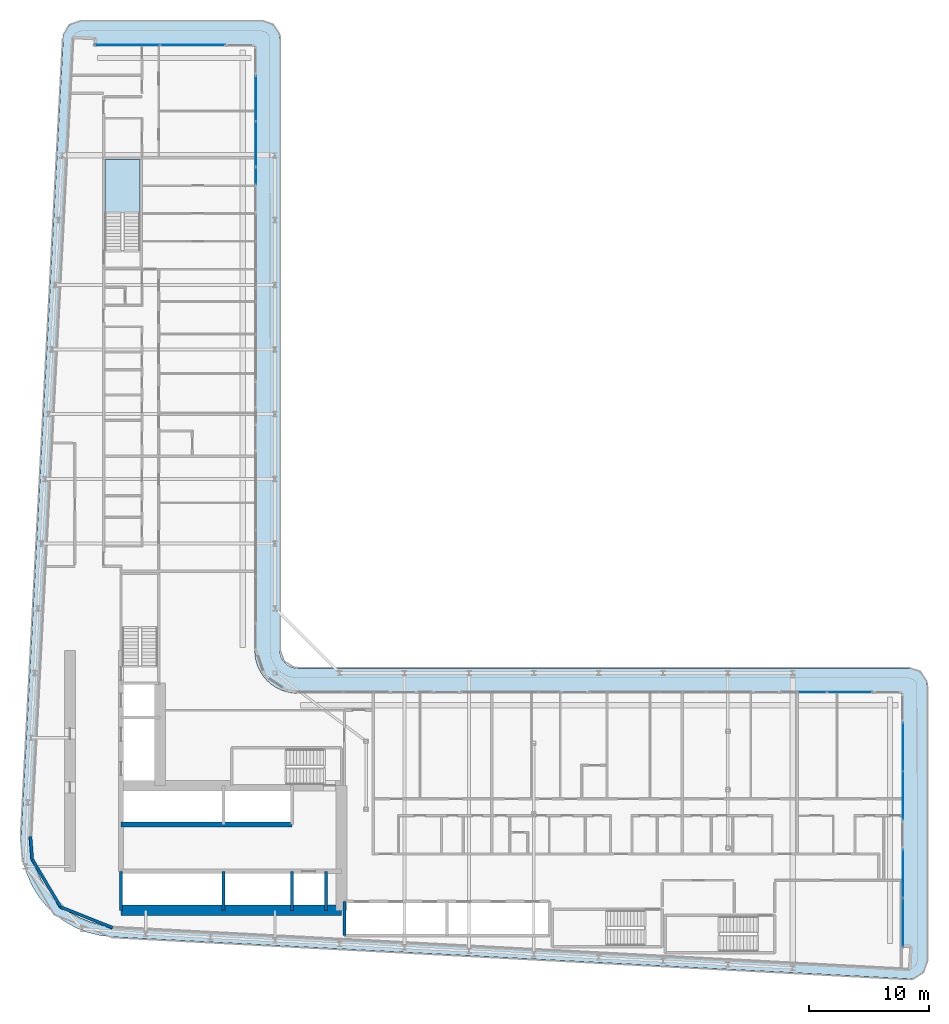
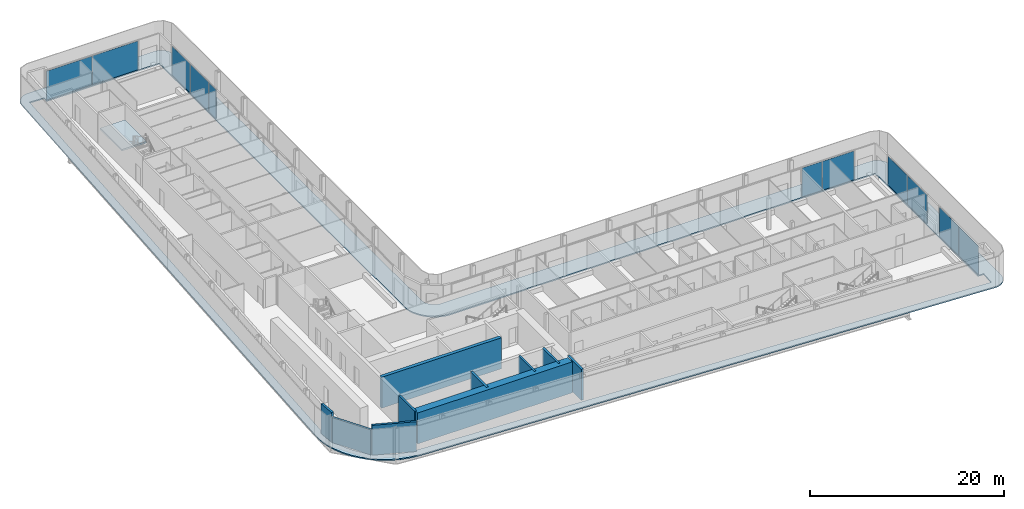
# One storey, part 12 of 28: 11 plates, 10 walls, 2 slabs, 7 elements without a shape of their own.
"""IFC4 building model written with IfcOpenShell, lengths in metres."""

from ifc_helpers import new_model, si_unit, direction, frame, frame_2d, origin, origin_2d, place, context, subcontext, project, spatial, polyline, rectangle, outline, extrude, material, layer, layer_set, type_object, element, aggregate, save


model = new_model("IFC4")

# Units and contexts
model_context = context("Model", 3, precision=1e-05, world=origin(), true_north=direction((0.0, 1.0)))
body_context = subcontext(model_context, "Body", "Model", "MODEL_VIEW")
ifc_project = project(units=[si_unit("LENGTHUNIT", "METRE"), si_unit("AREAUNIT", "SQUARE_METRE"), si_unit("VOLUMEUNIT", "CUBIC_METRE"), si_unit("PLANEANGLEUNIT", "RADIAN"), si_unit("MASSUNIT", "GRAM", prefix="KILO")], contexts=[model_context])

# Site, building, storey
site_placement = place(None, origin())
site = spatial("IfcSite", under=ifc_project, at=site_placement, CompositionType="ELEMENT")
building_placement = place(site_placement, origin())
building = spatial("IfcBuilding", under=site, at=building_placement, Name="Kheshtan School and Residences Tower", CompositionType="ELEMENT")
storey_placement = place(building_placement, frame((0.0, 0.0, 125.300048828125)))
storey = spatial("IfcBuildingStorey", under=building, at=storey_placement, Name="L29", CompositionType="ELEMENT", Elevation=125.300048828125)

# Curtain wall, plates
ifc_material_1 = material(Name="Clear low-e glass in thermally broken aluminium frame", Category="aluminium")
ifc_layer_1 = layer(ifc_material_1, 0.199951171875)
ifc_layer_set_1 = layer_set([ifc_layer_1], Name="Curtain wall CW-L")
curtain_wall_type = type_object("IfcCurtainWallType", Name="Curtain wall CW-L", PredefinedType="NOTDEFINED", material=ifc_layer_set_1)
curtain_wall_1_placement = place(storey_placement, origin())
curtain_wall_1 = element("IfcCurtainWall", 1, at=curtain_wall_1_placement, inside=storey, type_object=curtain_wall_type, Name="Curtain wall CWL7", PredefinedType="NOTDEFINED")
ifc_layer_2 = layer(ifc_material_1, 0.031982421875)
ifc_layer_set_2 = layer_set([ifc_layer_2], Name="CW-L glass panel")
plate_type = type_object("IfcPlateType", Name="CW-L glass panel", PredefinedType="CURTAIN_PANEL", material=ifc_layer_set_2)
plate_1_placement = place(storey_placement, frame((35.259033203125, 98.0, 0.0), z_axis=(0.0, 0.0, 1.0), x_axis=(1.0, 0.0, 0.0)))
plate_1 = element("IfcPlate", 2, at=plate_1_placement, type_object=plate_type, Name="CWL7 panel 1.1", PredefinedType="CURTAIN_PANEL", context=body_context, shape_type="SweptSolid", body=[
    extrude(rectangle(XDim=5.4140625, YDim=0.031982421875, at=origin_2d()), origin(), (0.0, 0.0, 1.0), 3.6298828125),
])
plate_2_placement = place(storey_placement, frame((40.73291015625, 98.0, 0.0), z_axis=(0.0, 0.0, 1.0), x_axis=(1.0, 0.0, 0.0)))
plate_2 = element("IfcPlate", 3, at=plate_2_placement, type_object=plate_type, Name="CWL7 panel 2.1", PredefinedType="CURTAIN_PANEL", context=body_context, shape_type="SweptSolid", body=[
    extrude(rectangle(XDim=5.4140625, YDim=0.031982421875, at=origin_2d()), origin(), (0.0, 0.0, 1.0), 3.6298828125),
])
aggregate(curtain_wall_1, [plate_1, plate_2])

curtain_wall_2_placement = place(storey_placement, origin())
curtain_wall_2 = element("IfcCurtainWall", 4, at=curtain_wall_2_placement, inside=storey, type_object=curtain_wall_type, Name="Curtain wall CWL8", PredefinedType="NOTDEFINED")
plate_3_placement = place(storey_placement, frame((46.0, 93.5615234375, 0.0), z_axis=(0.0, 0.0, 1.0), x_axis=(0.0, -1.0, 0.0)))
plate_3 = element("IfcPlate", 5, at=plate_3_placement, type_object=plate_type, Name="CWL8 panel 1.1", PredefinedType="CURTAIN_PANEL", context=body_context, shape_type="SweptSolid", body=[
    extrude(rectangle(XDim=3.757080078125, YDim=0.031982421875, at=origin_2d()), origin(), (0.0, 0.0, 1.0), 3.6298828125),
])
plate_4_placement = place(storey_placement, frame((46.0, 89.744384765625, 0.0), z_axis=(0.0, 0.0, 1.0), x_axis=(0.0, -1.0, 0.0)))
plate_4 = element("IfcPlate", 6, at=plate_4_placement, type_object=plate_type, Name="CWL8 panel 2.1", PredefinedType="CURTAIN_PANEL", context=body_context, shape_type="SweptSolid", body=[
    extrude(rectangle(XDim=3.757080078125, YDim=0.031982421875, at=origin_2d()), origin(), (0.0, 0.0, 1.0), 3.6298828125),
])
aggregate(curtain_wall_2, [plate_3, plate_4])

# Curtain wall, plate
curtain_wall_3_placement = place(storey_placement, origin())
curtain_wall_3 = element("IfcCurtainWall", 7, at=curtain_wall_3_placement, inside=storey, type_object=curtain_wall_type, Name="Curtain wall CWL8a", PredefinedType="NOTDEFINED")
plate_5_placement = place(storey_placement, frame((46.0, 87.0859375, 0.0), z_axis=(0.0, 0.0, 1.0), x_axis=(0.0, -1.0, 0.0)))
plate_5 = element("IfcPlate", 8, at=plate_5_placement, type_object=plate_type, Name="CWL8a panel 1.1", PredefinedType="CURTAIN_PANEL", context=body_context, shape_type="SweptSolid", body=[
    extrude(rectangle(XDim=1.43994140625, YDim=0.031982421875, at=origin_2d()), origin(), (0.0, 0.0, 1.0), 3.6298828125),
])
aggregate(curtain_wall_3, [plate_5])

# Curtain wall, plates
curtain_wall_4_placement = place(storey_placement, origin())
curtain_wall_4 = element("IfcCurtainWall", 9, at=curtain_wall_4_placement, inside=storey, type_object=curtain_wall_type, Name="Curtain wall CWL12k", PredefinedType="NOTDEFINED")
plate_6_placement = place(storey_placement, frame((92.426513671875, 44.0, 0.0), z_axis=(0.0, 0.0, 1.0), x_axis=(1.0, 0.0, 0.0)))
plate_6 = element("IfcPlate", 10, at=plate_6_placement, type_object=plate_type, Name="CWL12k panel 2.1", PredefinedType="CURTAIN_PANEL", context=body_context, shape_type="SweptSolid", body=[
    extrude(rectangle(XDim=2.39306640625, YDim=0.031982421875, at=origin_2d()), origin(), (0.0, 0.0, 1.0), 3.6298828125),
])
plate_7_placement = place(storey_placement, frame((95.5615234375, 44.0, 0.0), z_axis=(0.0, 0.0, 1.0), x_axis=(1.0, 0.0, 0.0)))
plate_7 = element("IfcPlate", 11, at=plate_7_placement, type_object=plate_type, Name="CWL12k panel 3.1", PredefinedType="CURTAIN_PANEL", context=body_context, shape_type="SweptSolid", body=[
    extrude(rectangle(XDim=3.757080078125, YDim=0.031982421875, at=origin_2d()), origin(), (0.0, 0.0, 1.0), 3.6298828125),
])
aggregate(curtain_wall_4, [plate_6, plate_7])

curtain_wall_5_placement = place(storey_placement, origin())
curtain_wall_5 = element("IfcCurtainWall", 12, at=curtain_wall_5_placement, inside=storey, type_object=curtain_wall_type, Name="Curtain wall CWL13b", PredefinedType="NOTDEFINED")
plate_8_placement = place(storey_placement, frame((100.0, 39.436767578125, 0.0), z_axis=(0.0, 0.0, 1.0), x_axis=(0.0, -1.0, 0.0)))
plate_8 = element("IfcPlate", 13, at=plate_8_placement, type_object=plate_type, Name="CWL13b panel 1.1", PredefinedType="CURTAIN_PANEL", context=body_context, shape_type="SweptSolid", body=[
    extrude(rectangle(XDim=4.006591796875, YDim=0.031982421875, at=origin_2d()), origin(), (0.0, 0.0, 1.0), 3.6298828125),
])
plate_9_placement = place(storey_placement, frame((100.0, 35.370361328125, 0.0), z_axis=(0.0, 0.0, 1.0), x_axis=(0.0, -1.0, 0.0)))
plate_9 = element("IfcPlate", 14, at=plate_9_placement, type_object=plate_type, Name="CWL13b panel 2.1", PredefinedType="CURTAIN_PANEL", context=body_context, shape_type="SweptSolid", body=[
    extrude(rectangle(XDim=4.006591796875, YDim=0.031982421875, at=origin_2d()), origin(), (0.0, 0.0, 1.0), 3.6298828125),
])
aggregate(curtain_wall_5, [plate_8, plate_9])

curtain_wall_6_placement = place(storey_placement, origin())
curtain_wall_6 = element("IfcCurtainWall", 15, at=curtain_wall_6_placement, inside=storey, type_object=curtain_wall_type, Name="Curtain wall CWL13b", PredefinedType="NOTDEFINED")
plate_10_placement = place(storey_placement, frame((100.0, 28.84375, 0.0), z_axis=(0.0, 0.0, 1.0), x_axis=(0.0, -1.0, 0.0)))
plate_10 = element("IfcPlate", 16, at=plate_10_placement, type_object=plate_type, Name="CWL13b panel 1.1", PredefinedType="CURTAIN_PANEL", context=body_context, shape_type="SweptSolid", body=[
    extrude(rectangle(XDim=4.006591796875, YDim=0.031982421875, at=origin_2d()), origin(), (0.0, 0.0, 1.0), 3.6298828125),
])
plate_11_placement = place(storey_placement, frame((100.0, 24.77734375, 0.0), z_axis=(0.0, 0.0, 1.0), x_axis=(0.0, -1.0, 0.0)))
plate_11 = element("IfcPlate", 17, at=plate_11_placement, type_object=plate_type, Name="CWL13b panel 2.1", PredefinedType="CURTAIN_PANEL", context=body_context, shape_type="SweptSolid", body=[
    extrude(rectangle(XDim=4.006591796875, YDim=0.031982421875, at=origin_2d()), origin(), (0.0, 0.0, 1.0), 3.6298828125),
])
aggregate(curtain_wall_6, [plate_10, plate_11])

# Slab
ifc_material_2 = material(Name="Concrete C40/50", Category="concrete")
ifc_layer_3 = layer(ifc_material_2, 0.14990234375)
ifc_layer_set_3 = layer_set([ifc_layer_3], Name="Loggia balcony slab 150 Concrete C40/50")
slab_type_1 = type_object("IfcSlabType", Name="Loggia balcony slab 150 Concrete C40/50", PredefinedType="FLOOR", material=ifc_layer_set_3)
slab_1_placement = place(storey_placement, frame((0.0, 0.0, -0.150146484375)))
element("IfcSlab", 18, at=slab_1_placement, inside=storey, type_object=slab_type_1, Name="Loggia balcony slab L29", PredefinedType="FLOOR", context=body_context, shape_type="SweptSolid", body=[
    extrude(outline(polyline([(28.4580078125, 26.222900390625), (28.45703125, 26.222900390625), (28.45703125, 26.22412109375), (28.4560546875, 26.22412109375), (27.81494140625, 27.0390625), (27.281005859375, 27.93798828125), (26.867919921875, 28.89990234375), (26.583984375, 29.89990234375), (26.583984375, 29.906982421875), (26.43408203125, 30.943115234375), (26.419921875, 31.989013671875), (29.925048828125, 98.5791015625), (29.930908203125, 98.626953125), (29.930908203125, 98.6279296875), (29.929931640625, 98.6279296875), (29.929931640625, 98.62890625), (29.928955078125, 98.62890625), (29.928955078125, 98.6298828125), (29.927978515625, 98.6298828125), (29.927978515625, 98.631103515625), (29.927001953125, 98.631103515625), (29.927001953125, 98.632080078125), (29.927001953125, 98.633056640625), (29.945068359375, 98.781005859375), (29.945068359375, 98.783935546875), (29.945068359375, 98.784912109375), (29.946044921875, 98.784912109375), (29.946044921875, 98.785888671875), (29.947021484375, 98.785888671875), (29.947021484375, 98.787109375), (29.947998046875, 98.787109375), (29.948974609375, 98.787109375), (29.948974609375, 98.7880859375), (29.949951171875, 98.7880859375), (29.949951171875, 98.7890625), (29.949951171875, 98.791015625), (30.0029296875, 98.98388671875), (30.083984375, 99.175048828125), (30.18896484375, 99.35302734375), (30.31103515625, 99.507080078125), (30.31201171875, 99.507080078125), (30.31201171875, 99.508056640625), (30.31298828125, 99.508056640625), (30.31298828125, 99.509033203125), (30.31396484375, 99.509033203125), (30.31396484375, 99.510009765625), (30.31494140625, 99.510009765625), (30.31494140625, 99.510986328125), (30.31591796875, 99.510986328125), (30.31591796875, 99.511962890625), (30.31689453125, 99.511962890625), (30.31689453125, 99.512939453125), (30.318115234375, 99.512939453125), (30.320068359375, 99.512939453125), (30.321044921875, 99.512939453125), (30.321044921875, 99.513916015625), (30.468017578125, 99.656982421875), (30.468994140625, 99.656982421875), (30.468994140625, 99.657958984375), (30.469970703125, 99.657958984375), (30.469970703125, 99.658935546875), (30.470947265625, 99.658935546875), (30.470947265625, 99.659912109375), (30.471923828125, 99.659912109375), (30.471923828125, 99.660888671875), (30.472900390625, 99.660888671875), (30.472900390625, 99.662109375), (30.47412109375, 99.662109375), (30.47412109375, 99.6630859375), (30.47509765625, 99.6630859375), (30.47509765625, 99.6640625), (30.635986328125, 99.777099609375), (30.820068359375, 99.873046875), (31.007080078125, 99.943115234375), (31.013916015625, 99.943115234375), (31.217041015625, 99.986083984375), (31.423095703125, 100.0), (46.5, 100.0), (46.696044921875, 99.987060546875), (46.887939453125, 99.948974609375), (46.89501953125, 99.948974609375), (47.073974609375, 99.885986328125), (47.243896484375, 99.801025390625), (47.2451171875, 99.801025390625), (47.2470703125, 99.801025390625), (47.248046875, 99.801025390625), (47.248046875, 99.802001953125), (47.2490234375, 99.802001953125), (47.2490234375, 99.802978515625), (47.25, 99.802978515625), (47.2529296875, 99.802978515625), (47.25390625, 99.802978515625), (47.25390625, 99.802001953125), (47.2548828125, 99.802001953125), (47.2548828125, 99.801025390625), (47.256103515625, 99.801025390625), (47.256103515625, 99.800048828125), (47.257080078125, 99.800048828125), (47.257080078125, 99.799072265625), (47.258056640625, 99.799072265625), (47.258056640625, 99.798095703125), (47.412109375, 99.696044921875), (47.4130859375, 99.696044921875), (47.4130859375, 99.695068359375), (47.4140625, 99.695068359375), (47.4140625, 99.694091796875), (47.4140625, 99.68994140625), (47.4140625, 99.68896484375), (47.4150390625, 99.68896484375), (47.4150390625, 99.68798828125), (47.416015625, 99.68798828125), (47.416015625, 99.68701171875), (47.4169921875, 99.68701171875), (47.4169921875, 99.68603515625), (47.554931640625, 99.568115234375), (47.554931640625, 99.56689453125), (47.555908203125, 99.56689453125), (47.555908203125, 99.56591796875), (47.556884765625, 99.56591796875), (47.556884765625, 99.56494140625), (47.55810546875, 99.56494140625), (47.55810546875, 99.56396484375), (47.55908203125, 99.56396484375), (47.55908203125, 99.56298828125), (47.56005859375, 99.56298828125), (47.56005859375, 99.56201171875), (47.56103515625, 99.56201171875), (47.56201171875, 99.56103515625), (47.56201171875, 99.56005859375), (47.56298828125, 99.56005859375), (47.56298828125, 99.55908203125), (47.56396484375, 99.55908203125), (47.56396484375, 99.55810546875), (47.56494140625, 99.55810546875), (47.56494140625, 99.556884765625), (47.56591796875, 99.556884765625), (47.56591796875, 99.555908203125), (47.56689453125, 99.555908203125), (47.56689453125, 99.554931640625), (47.568115234375, 99.554931640625), (47.68505859375, 99.41796875), (47.68603515625, 99.41796875), (47.68603515625, 99.4169921875), (47.68701171875, 99.4169921875), (47.68701171875, 99.416015625), (47.68798828125, 99.416015625), (47.68798828125, 99.4150390625), (47.68896484375, 99.4150390625), (47.68896484375, 99.4140625), (47.68994140625, 99.4140625), (47.694091796875, 99.4140625), (47.695068359375, 99.4140625), (47.695068359375, 99.4130859375), (47.696044921875, 99.4130859375), (47.696044921875, 99.412109375), (47.797119140625, 99.259033203125), (47.798095703125, 99.259033203125), (47.798095703125, 99.258056640625), (47.799072265625, 99.258056640625), (47.799072265625, 99.257080078125), (47.800048828125, 99.257080078125), (47.800048828125, 99.256103515625), (47.801025390625, 99.256103515625), (47.801025390625, 99.2548828125), (47.802001953125, 99.2548828125), (47.802001953125, 99.25390625), (47.802978515625, 99.25390625), (47.802978515625, 99.2529296875), (47.802978515625, 99.25), (47.802978515625, 99.2490234375), (47.802001953125, 99.2490234375), (47.802001953125, 99.248046875), (47.801025390625, 99.248046875), (47.801025390625, 99.2470703125), (47.801025390625, 99.243896484375), (47.801025390625, 99.242919921875), (47.885986328125, 99.073974609375), (47.948974609375, 98.89501953125), (47.948974609375, 98.887939453125), (47.987060546875, 98.696044921875), (48.0, 98.5), (48.0, 47.5), (48.012939453125, 47.303955078125), (48.051025390625, 47.113037109375), (48.051025390625, 47.10693359375), (48.051025390625, 47.10595703125), (48.114013671875, 46.926025390625), (48.200927734375, 46.75), (48.31005859375, 46.5869140625), (48.431884765625, 46.444091796875), (48.43310546875, 46.444091796875), (48.43310546875, 46.443115234375), (48.43408203125, 46.443115234375), (48.43408203125, 46.44189453125), (48.43505859375, 46.44189453125), (48.43505859375, 46.44091796875), (48.43603515625, 46.44091796875), (48.43603515625, 46.43994140625), (48.43701171875, 46.43994140625), (48.43701171875, 46.43896484375), (48.43798828125, 46.43896484375), (48.43896484375, 46.43798828125), (48.43896484375, 46.43701171875), (48.43994140625, 46.43701171875), (48.43994140625, 46.43603515625), (48.44091796875, 46.43603515625), (48.44091796875, 46.43505859375), (48.44189453125, 46.43505859375), (48.44189453125, 46.43408203125), (48.443115234375, 46.43408203125), (48.443115234375, 46.43310546875), (48.444091796875, 46.43310546875), (48.444091796875, 46.431884765625), (48.5869140625, 46.31005859375), (48.75, 46.200927734375), (48.926025390625, 46.114013671875), (49.10595703125, 46.051025390625), (49.10693359375, 46.051025390625), (49.113037109375, 46.051025390625), (49.303955078125, 46.012939453125), (49.5, 46.0), (100.5, 46.0), (100.696044921875, 45.987060546875), (100.887939453125, 45.948974609375), (100.89501953125, 45.948974609375), (101.073974609375, 45.885986328125), (101.241943359375, 45.801025390625), (101.242919921875, 45.801025390625), (101.2470703125, 45.801025390625), (101.248046875, 45.801025390625), (101.248046875, 45.802001953125), (101.2490234375, 45.802001953125), (101.2490234375, 45.802978515625), (101.25, 45.802978515625), (101.2529296875, 45.802978515625), (101.25390625, 45.802978515625), (101.25390625, 45.802001953125), (101.2548828125, 45.802001953125), (101.2548828125, 45.801025390625), (101.256103515625, 45.801025390625), (101.256103515625, 45.800048828125), (101.257080078125, 45.800048828125), (101.257080078125, 45.799072265625), (101.258056640625, 45.799072265625), (101.258056640625, 45.798095703125), (101.259033203125, 45.798095703125), (101.259033203125, 45.797119140625), (101.260009765625, 45.797119140625), (101.260009765625, 45.7958984375), (101.412109375, 45.696044921875), (101.4130859375, 45.696044921875), (101.4130859375, 45.695068359375), (101.4140625, 45.695068359375), (101.4140625, 45.694091796875), (101.4140625, 45.68994140625), (101.4140625, 45.68896484375), (101.4150390625, 45.68896484375), (101.4150390625, 45.68798828125), (101.416015625, 45.68798828125), (101.416015625, 45.68701171875), (101.4169921875, 45.68701171875), (101.4169921875, 45.68603515625), (101.41796875, 45.68603515625), (101.41796875, 45.68505859375), (101.4189453125, 45.68505859375), (101.4189453125, 45.68408203125), (101.554931640625, 45.568115234375), (101.554931640625, 45.56689453125), (101.555908203125, 45.56689453125), (101.555908203125, 45.56591796875), (101.556884765625, 45.56591796875), (101.556884765625, 45.56494140625), (101.55810546875, 45.56494140625), (101.55810546875, 45.56396484375), (101.55908203125, 45.56396484375), (101.55908203125, 45.56298828125), (101.56005859375, 45.56298828125), (101.56005859375, 45.56201171875), (101.56103515625, 45.56201171875), (101.56201171875, 45.56103515625), (101.56201171875, 45.56005859375), (101.56298828125, 45.56005859375), (101.56298828125, 45.55908203125), (101.56396484375, 45.55908203125), (101.56396484375, 45.55810546875), (101.56494140625, 45.55810546875), (101.56494140625, 45.556884765625), (101.56591796875, 45.556884765625), (101.56591796875, 45.555908203125), (101.56689453125, 45.555908203125), (101.56689453125, 45.554931640625), (101.568115234375, 45.554931640625), (101.681884765625, 45.4208984375), (101.68310546875, 45.4208984375), (101.68310546875, 45.419921875), (101.68408203125, 45.419921875), (101.68408203125, 45.4189453125), (101.68505859375, 45.4189453125), (101.68505859375, 45.41796875), (101.68603515625, 45.41796875), (101.68603515625, 45.4169921875), (101.68701171875, 45.4169921875), (101.68701171875, 45.416015625), (101.68798828125, 45.416015625), (101.68798828125, 45.4150390625), (101.68896484375, 45.4150390625), (101.68896484375, 45.4140625), (101.68994140625, 45.4140625), (101.694091796875, 45.4140625), (101.695068359375, 45.4140625), (101.695068359375, 45.4130859375), (101.696044921875, 45.4130859375), (101.696044921875, 45.412109375), (101.7939453125, 45.261962890625), (101.794921875, 45.261962890625), (101.794921875, 45.260986328125), (101.7958984375, 45.260986328125), (101.7958984375, 45.260009765625), (101.797119140625, 45.260009765625), (101.797119140625, 45.259033203125), (101.798095703125, 45.259033203125), (101.798095703125, 45.258056640625), (101.799072265625, 45.258056640625), (101.799072265625, 45.257080078125), (101.800048828125, 45.257080078125), (101.800048828125, 45.256103515625), (101.801025390625, 45.256103515625), (101.801025390625, 45.2548828125), (101.802001953125, 45.2548828125), (101.802001953125, 45.25390625), (101.802978515625, 45.25390625), (101.802978515625, 45.2529296875), (101.802978515625, 45.25), (101.802978515625, 45.2490234375), (101.802001953125, 45.2490234375), (101.802001953125, 45.248046875), (101.801025390625, 45.248046875), (101.801025390625, 45.2470703125), (101.801025390625, 45.240966796875), (101.801025390625, 45.239990234375), (101.885986328125, 45.073974609375), (101.948974609375, 44.89501953125), (101.948974609375, 44.887939453125), (101.987060546875, 44.696044921875), (102.0, 44.5), (102.0, 21.5810546875), (101.986083984375, 21.37890625), (101.945068359375, 21.179931640625), (101.945068359375, 21.173095703125), (101.8779296875, 20.989013671875), (101.785888671875, 20.80810546875), (101.6708984375, 20.64306640625), (101.6708984375, 20.64208984375), (101.6708984375, 20.64111328125), (101.6708984375, 20.639892578125), (101.672119140625, 20.639892578125), (101.672119140625, 20.638916015625), (101.672119140625, 20.636962890625), (101.672119140625, 20.635986328125), (101.6708984375, 20.635986328125), (101.6708984375, 20.635009765625), (101.5380859375, 20.491943359375), (101.534912109375, 20.489013671875), (101.533935546875, 20.489013671875), (101.533935546875, 20.488037109375), (101.532958984375, 20.488037109375), (101.531005859375, 20.488037109375), (101.530029296875, 20.488037109375), (101.530029296875, 20.489013671875), (101.529052734375, 20.489013671875), (101.528076171875, 20.489013671875), (101.527099609375, 20.489013671875), (101.3759765625, 20.364013671875), (101.2041015625, 20.256103515625), (101.01904296875, 20.174072265625), (100.8310546875, 20.116943359375), (100.823974609375, 20.116943359375), (100.6240234375, 20.0859375), (100.4208984375, 20.0830078125), (33.989013671875, 23.580078125), (33.94189453125, 23.5859375), (33.94091796875, 23.5859375), (33.93994140625, 23.5859375), (33.93994140625, 23.5849609375), (33.93896484375, 23.5849609375), (33.93896484375, 23.583984375), (33.93798828125, 23.583984375), (33.93798828125, 23.5830078125), (33.93701171875, 23.5830078125), (33.93701171875, 23.58203125), (33.93603515625, 23.58203125), (33.93505859375, 23.58203125), (32.952880859375, 23.697998046875), (32.949951171875, 23.697998046875), (32.948974609375, 23.697998046875), (32.948974609375, 23.698974609375), (32.947998046875, 23.698974609375), (32.947998046875, 23.699951171875), (32.947021484375, 23.699951171875), (32.947021484375, 23.700927734375), (32.947021484375, 23.702880859375), (32.947021484375, 23.7041015625), (32.946044921875, 23.7041015625), (32.946044921875, 23.705078125), (32.945068359375, 23.705078125), (32.944091796875, 23.705078125), (31.93603515625, 23.9609375), (31.928955078125, 23.9609375), (30.964111328125, 24.34912109375), (30.051025390625, 24.860107421875), (29.218994140625, 25.47900390625), (29.218994140625, 25.47998046875), (29.218017578125, 25.47998046875), (29.218017578125, 25.48095703125), (29.217041015625, 25.48095703125), (29.217041015625, 25.48193359375), (29.216064453125, 25.48193359375), (29.216064453125, 25.48291015625), (29.215087890625, 25.48291015625), (29.215087890625, 25.48388671875), (29.214111328125, 25.48388671875), (29.214111328125, 25.485107421875), (29.212890625, 25.485107421875), (29.212890625, 25.486083984375), (29.2119140625, 25.486083984375), (28.466064453125, 26.217041015625), (28.466064453125, 26.218017578125), (28.465087890625, 26.218017578125), (28.462890625, 26.218017578125), (28.4619140625, 26.218017578125), (28.4619140625, 26.218994140625), (28.4609375, 26.218994140625), (28.4609375, 26.219970703125), (28.4599609375, 26.219970703125), (28.4599609375, 26.220947265625), (28.458984375, 26.220947265625), (28.458984375, 26.221923828125), (28.4580078125, 26.221923828125), (28.4580078125, 26.222900390625)]), holes=[polyline([(29.12890625, 26.824951171875), (29.12890625, 26.823974609375), (29.1298828125, 26.823974609375), (29.1298828125, 26.822998046875), (29.131103515625, 26.822998046875), (29.131103515625, 26.822021484375), (29.132080078125, 26.822021484375), (29.132080078125, 26.821044921875), (29.133056640625, 26.821044921875), (29.133056640625, 26.820068359375), (29.134033203125, 26.820068359375), (29.7958984375, 26.173095703125), (29.7958984375, 26.172119140625), (29.797119140625, 26.172119140625), (29.798095703125, 26.172119140625), (29.799072265625, 26.172119140625), (29.799072265625, 26.1708984375), (29.800048828125, 26.1708984375), (29.800048828125, 26.169921875), (29.801025390625, 26.169921875), (29.801025390625, 26.1689453125), (29.802001953125, 26.1689453125), (29.802001953125, 26.16796875), (29.802978515625, 26.16796875), (29.802978515625, 26.1669921875), (29.803955078125, 26.1669921875), (29.803955078125, 26.166015625), (30.541015625, 25.616943359375), (31.35205078125, 25.1630859375), (32.208984375, 24.819091796875), (32.2099609375, 24.819091796875), (32.216064453125, 24.819091796875), (33.114990234375, 24.590087890625), (34.06591796875, 24.47705078125), (100.43798828125, 20.98291015625), (100.465087890625, 20.98388671875), (100.466064453125, 20.98388671875), (100.467041015625, 20.98388671875), (100.467041015625, 20.985107421875), (100.468017578125, 20.985107421875), (100.468017578125, 20.986083984375), (100.468017578125, 20.987060546875), (100.55810546875, 22.676025390625), (100.55810546875, 22.677001953125), (100.55810546875, 22.677978515625), (100.556884765625, 22.677978515625), (100.556884765625, 22.678955078125), (100.555908203125, 22.678955078125), (100.554931640625, 22.678955078125), (99.90087890625, 22.714111328125), (99.89990234375, 22.714111328125), (99.89990234375, 22.715087890625), (99.89990234375, 43.89794921875), (99.89990234375, 43.89892578125), (99.89892578125, 43.89892578125), (99.89892578125, 43.89990234375), (99.89794921875, 43.89990234375), (49.429931640625, 43.89990234375), (49.030029296875, 43.927001953125), (48.569091796875, 44.01806640625), (48.56201171875, 44.01806640625), (48.1201171875, 44.169921875), (47.697021484375, 44.37890625), (47.30810546875, 44.638916015625), (46.95703125, 44.944091796875), (46.95703125, 44.945068359375), (46.9560546875, 44.945068359375), (46.9560546875, 44.946044921875), (46.955078125, 44.946044921875), (46.955078125, 44.947021484375), (46.9541015625, 44.947021484375), (46.9541015625, 44.947998046875), (46.952880859375, 44.947998046875), (46.952880859375, 44.948974609375), (46.951904296875, 44.948974609375), (46.951904296875, 44.949951171875), (46.951904296875, 44.950927734375), (46.950927734375, 44.950927734375), (46.950927734375, 44.951904296875), (46.949951171875, 44.951904296875), (46.948974609375, 44.951904296875), (46.948974609375, 44.952880859375), (46.947998046875, 44.952880859375), (46.947998046875, 44.9541015625), (46.947021484375, 44.9541015625), (46.947021484375, 44.955078125), (46.946044921875, 44.955078125), (46.946044921875, 44.9560546875), (46.945068359375, 44.9560546875), (46.945068359375, 44.95703125), (46.944091796875, 44.95703125), (46.638916015625, 45.30810546875), (46.37890625, 45.697021484375), (46.169921875, 46.1201171875), (46.01806640625, 46.56201171875), (46.01806640625, 46.569091796875), (45.927001953125, 47.030029296875), (45.89990234375, 47.429931640625), (45.89990234375, 97.89794921875), (45.89990234375, 97.89892578125), (45.89892578125, 97.89892578125), (45.89892578125, 97.89990234375), (45.89794921875, 97.89990234375), (32.492919921875, 97.89990234375), (32.491943359375, 97.89990234375), (32.52099609375, 98.43896484375), (32.52099609375, 98.43994140625), (32.52099609375, 98.44091796875), (32.52001953125, 98.44091796875), (32.52001953125, 98.44189453125), (32.51904296875, 98.44189453125), (32.51806640625, 98.44189453125), (30.8291015625, 98.531982421875), (30.827880859375, 98.531982421875), (30.826904296875, 98.531982421875), (30.826904296875, 98.531005859375), (30.825927734375, 98.531005859375), (30.825927734375, 98.530029296875), (30.825927734375, 98.529052734375), (30.822021484375, 98.5009765625), (27.320068359375, 31.970947265625), (27.3330078125, 31.013916015625), (27.466064453125, 30.093994140625), (27.466064453125, 30.087890625), (27.466064453125, 30.0869140625), (27.718017578125, 29.200927734375), (28.0849609375, 28.345947265625), (28.55908203125, 27.550048828125), (29.126953125, 26.825927734375), (29.1279296875, 26.825927734375), (29.1279296875, 26.824951171875), (29.12890625, 26.824951171875)])]), origin(), (0.0, 0.0, 1.0), 0.150146484375),
])

# Stair, slab
stair_type = type_object("IfcStairType", Name="Exit stair, half-turn", PredefinedType="HALF_TURN_STAIR", material=ifc_material_2)
stair_placement = place(storey_placement, origin())
stair = element("IfcStair", 19, at=stair_placement, inside=storey, type_object=stair_type, Name="L29 Protected Exit Stair ST3", PredefinedType="HALF_TURN_STAIR")
ifc_layer_4 = layer(ifc_material_2, 0.199951171875)
ifc_layer_set_4 = layer_set([ifc_layer_4], Name="Stair landing 200 Concrete C40/50")
slab_type_2 = type_object("IfcSlabType", Name="Stair landing 200 Concrete C40/50", PredefinedType="LANDING", material=ifc_layer_set_4)
slab_2_placement = place(storey_placement, frame((0.0, 0.0, 1.75)))
slab_2 = element("IfcSlab", 20, at=slab_2_placement, type_object=slab_type_2, Name="ST3 landing 1", PredefinedType="LANDING", context=body_context, shape_type="SweptSolid", body=[
    extrude(outline(polyline([(36.35009765625, 83.97998046875), (36.35009765625, 88.4599609375), (33.39990234375, 88.4599609375), (33.39990234375, 83.97998046875), (36.35009765625, 83.97998046875)])), origin(), (0.0, 0.0, 1.0), 0.199951171875),
])
aggregate(stair, [slab_2])

# Walls
ifc_material_3 = material(Name="Concrete C50/60", Category="concrete")
ifc_layer_5 = layer(ifc_material_3, 0.39990234375)
ifc_layer_set_5 = layer_set([ifc_layer_5], Name="Core wall 400 Concrete C50/60")
wall_type_1 = type_object("IfcWallType", Name="Core wall 400 Concrete C50/60", PredefinedType="SHEAR", material=ifc_layer_set_5)
wall_1_placement = place(storey_placement, frame((34.75, 32.949951171875, 0.0), z_axis=(0.0, 0.0, 1.0), x_axis=(1.0, 0.0, 0.0)))
element("IfcWall", 21, at=wall_1_placement, inside=storey, type_object=wall_type_1, Name="Core wall CW-HALL-S2", PredefinedType="SHEAR", context=body_context, shape_type="SweptSolid", body=[
    extrude(rectangle(XDim=14.25, YDim=0.39990234375, at=frame_2d((7.125, 0.0))), origin(), (0.0, 0.0, 1.0), 3.89990234375),
])
ifc_material_4 = material(Name="Concrete C80/95", Category="concrete")
ifc_layer_6 = layer(ifc_material_4, 0.89990234375)
ifc_layer_set_6 = layer_set([ifc_layer_6], Name="Core wall 900 Concrete C80/95")
wall_type_2 = type_object("IfcWallType", Name="Core wall 900 Concrete C80/95", PredefinedType="SHEAR", material=ifc_layer_set_6)
wall_2_placement = place(storey_placement, frame((34.75, 25.800048828125, 0.0), z_axis=(0.0, 0.0, 1.0), x_axis=(1.0, 0.0, 0.0)))
element("IfcWall", 22, at=wall_2_placement, inside=storey, type_object=wall_type_2, Name="Core wall CW-REAR-S", PredefinedType="SHEAR", context=body_context, shape_type="SweptSolid", body=[
    extrude(rectangle(XDim=18.39990234375, YDim=0.89990234375, at=frame_2d((9.199951171875, 0.0))), origin(), (0.0, 0.0, 1.0), 3.89990234375),
])
ifc_material_5 = material(Name="Concrete C40/50 with ceramic cladding and mineral wool insulation", Category="concrete")
ifc_layer_7 = layer(ifc_material_5, 0.25)
ifc_layer_set_7 = layer_set([ifc_layer_7], Name="External wall 250 ceramic clad")
wall_type_3 = type_object("IfcWallType", Name="External wall 250 ceramic clad", PredefinedType="SOLIDWALL", material=ifc_layer_set_7)
wall_3_placement = place(storey_placement, frame((34.0390625, 24.35302734375, 0.0), z_axis=(0.0, 0.0, 1.0), x_axis=(-0.929352825399, 0.369192803184, 0.0)))
element("IfcWall", 23, at=wall_3_placement, inside=storey, type_object=wall_type_3, Name="External wall L29 1", PredefinedType="SOLIDWALL", context=body_context, shape_type="SweptSolid", body=[
    extrude(rectangle(XDim=4.656005859375, YDim=0.25, at=frame_2d((2.328125, 0.0))), origin(), (0.0, 0.0, 1.0), 3.75),
])
wall_4_placement = place(storey_placement, frame((29.7119140625, 26.072021484375, 0.0), z_axis=(0.0, 0.0, 1.0), x_axis=(-0.511028049012, 0.859564036662, 0.0)))
element("IfcWall", 24, at=wall_4_placement, inside=storey, type_object=wall_type_3, Name="External wall L29 2", PredefinedType="SOLIDWALL", context=body_context, shape_type="SweptSolid", body=[
    extrude(rectangle(XDim=4.633544921875, YDim=0.25, at=frame_2d((2.31689453125, 0.0))), origin(), (0.0, 0.0, 1.0), 3.14697265625),
])
wall_5_placement = place(storey_placement, frame((27.343994140625, 30.054931640625, 0.0), z_axis=(0.0, 0.0, 1.0), x_axis=(-0.077571675317, 0.99698677784, 0.0)))
element("IfcWall", 25, at=wall_5_placement, inside=storey, type_object=wall_type_3, Name="External wall L29 3", PredefinedType="SOLIDWALL", context=body_context, shape_type="SweptSolid", body=[
    extrude(rectangle(XDim=1.919921875, YDim=0.25, at=frame_2d((0.9599609375, 0.0))), origin(), (0.0, 0.0, 1.0), 3.75),
])
ifc_material_6 = material(Name="Fire-board shaft wall system")
ifc_layer_8 = layer(ifc_material_6, 0.25)
ifc_layer_set_8 = layer_set([ifc_layer_8], Name="Shaft lining wall 250")
wall_type_4 = type_object("IfcWallType", Name="Shaft lining wall 250", PredefinedType="PARTITIONING", material=ifc_layer_set_8)
for number, where, z_axis, x_axis, name in (
    (26, (34.75, 25.800048828125, 0.0), (0.0, 0.0, 1.0), (0.0, 1.0, 0.0), "Shaft lining wall"),
    (27, (43.300048828125, 25.800048828125, 0.0), (0.0, 0.0, 1.0), (0.0, 1.0, 0.0), "Shaft lining wall"),
    (28, (49.0, 25.800048828125, 0.0), (0.0, 0.0, 1.0), (0.0, 1.0, 0.0), "Shaft lining wall"),
    (29, (51.85009765625, 25.800048828125, 0.0), (0.0, 0.0, 1.0), (0.0, 1.0, 0.0), "Shaft lining wall"),
):
    element("IfcWall", number, at=place(storey_placement, frame(where, z_axis=z_axis, x_axis=x_axis)), inside=storey, type_object=wall_type_4, Name=name, PredefinedType="PARTITIONING", context=body_context, shape_type="SweptSolid", body=[
        extrude(rectangle(XDim=3.25, YDim=0.25, at=frame_2d((1.625, 0.0))), origin(), (0.0, 0.0, 1.0), 3.89990234375),
    ])
wall_6_placement = place(storey_placement, frame((53.39990234375, 23.699951171875, 0.0), z_axis=(0.0, 0.0, 1.0), x_axis=(0.0, 1.0, 0.0)))
element("IfcWall", 30, at=wall_6_placement, inside=storey, type_object=wall_type_4, Name="Shaft lining wall", PredefinedType="PARTITIONING", context=body_context, shape_type="SweptSolid", body=[
    extrude(rectangle(XDim=2.85009765625, YDim=0.25, at=frame_2d((1.425048828125, 0.0))), origin(), (0.0, 0.0, 1.0), 3.89990234375),
])

save(model, "model.ifc")
